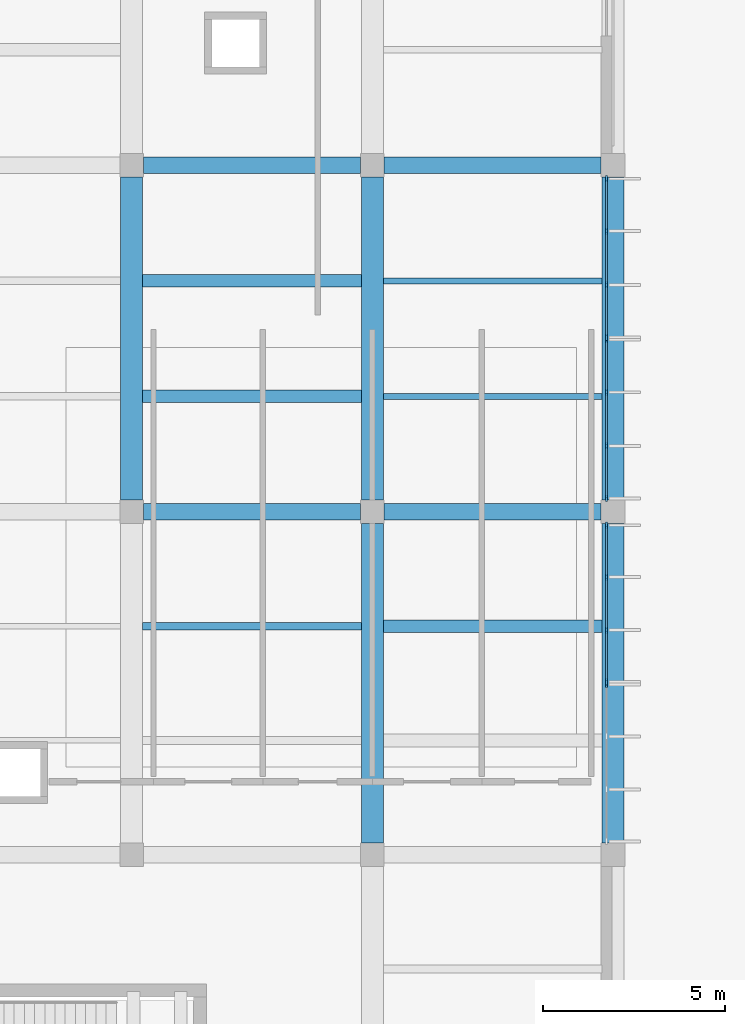
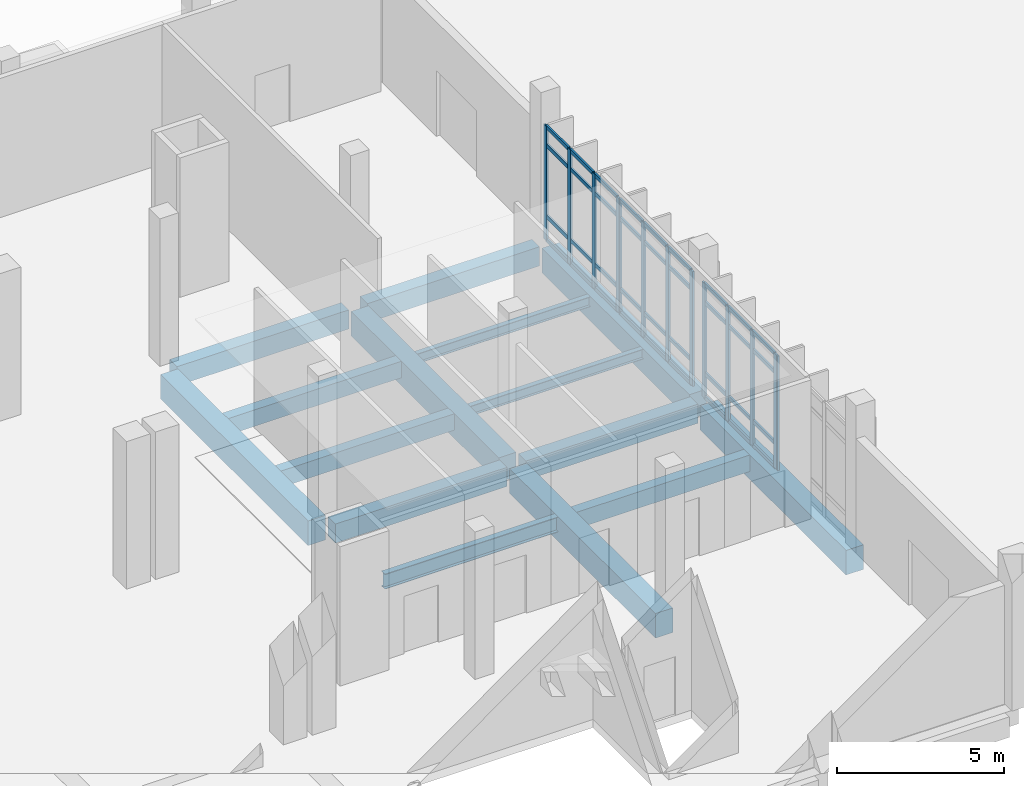
# One storey, part 32 of 79: 49 members, 15 beams, 4 elements without a shape of their own.
"""IFC4 building model written with IfcOpenShell, lengths in metres."""

from ifc_helpers import new_model, si_unit, direction, frame, origin, origin_2d, place, context, subcontext, project, spatial, rectangle, i_section, extrude, material, layer, layer_set, material_profile, profile_set, type_object, element, aggregate, save


model = new_model("IFC4")

# Units and contexts
model_context = context("Model", 3, precision=1e-05, world=origin(), true_north=direction((0.0, 1.0)))
body_context = subcontext(model_context, "Body", "Model", "MODEL_VIEW")
ifc_project = project(units=[si_unit("LENGTHUNIT", "METRE"), si_unit("AREAUNIT", "SQUARE_METRE"), si_unit("VOLUMEUNIT", "CUBIC_METRE"), si_unit("PLANEANGLEUNIT", "RADIAN"), si_unit("MASSUNIT", "GRAM", prefix="KILO")], contexts=[model_context])

# Site, building, storey
site_placement = place(None, origin())
site = spatial("IfcSite", under=ifc_project, at=site_placement, CompositionType="ELEMENT")
building_placement = place(site_placement, origin())
building = spatial("IfcBuilding", under=site, at=building_placement, Name="Kelarvand Opera House", CompositionType="ELEMENT")
storey_placement = place(building_placement, origin())
storey = spatial("IfcBuildingStorey", under=building, at=storey_placement, Name="L00", CompositionType="ELEMENT", Elevation=0.0)

# Curtain wall, members
ifc_material_1 = material(Name="Thermally broken aluminium and low-E glazing", Category="aluminium")
ifc_layer_1 = layer(ifc_material_1, 0.179931640625, Name="Thermally broken aluminium and low-E glazing", Category="aluminium")
ifc_layer_set_1 = layer_set([ifc_layer_1], Name="Thermally broken aluminium and low-E glazing")
curtain_wall_type_1 = type_object("IfcCurtainWallType", Name="Unitised Low-E Curtain Wall 4411x4200 Mod 1450 CWF-37", PredefinedType="USERDEFINED", material=ifc_layer_set_1)
curtain_wall_1_placement = place(storey_placement, origin())
curtain_wall_1 = element("IfcCurtainWall", 1, at=curtain_wall_1_placement, inside=storey, type_object=curtain_wall_type_1, Name="V5 L00 Curtain Wall CWF-37 (163)", ObjectType="UNITISED CURTAIN WALL", PredefinedType="USERDEFINED")
ifc_material_2 = material(Name="Thermally broken anodised aluminium", Category="aluminium")
ifc_material_profile_1 = material_profile(ifc_material_2, rectangle(XDim=0.06494140625, YDim=0.179931640625, at=origin_2d()), Name="ALU MULLION 65x180", Category="aluminium")
ifc_profile_set_1 = profile_set([ifc_material_profile_1], Name="Thermally broken anodised aluminium")
member_type_1 = type_object("IfcMemberType", Name="Curtain Wall Mullion 65x180 Aluminium", PredefinedType="MULLION", material=ifc_profile_set_1)
member_1_placement = place(storey_placement, frame((135.02001953125, 115.132568359375, 0.0), z_axis=(0.0, 0.0, 1.0), x_axis=(1.0, 0.0, 0.0)))
member_1 = element("IfcMember", 2, at=member_1_placement, type_object=member_type_1, Name="CWF-37 mullion 1", PredefinedType="MULLION", context=body_context, shape_type="SweptSolid", body=[
    extrude(rectangle(XDim=0.06494140625, YDim=0.179931640625, at=origin_2d()), origin(), (0.0, 0.0, 1.0), 4.199951171875),
])
member_2_placement = place(storey_placement, frame((135.02001953125, 113.694580078125, 0.0), z_axis=(0.0, 0.0, 1.0), x_axis=(1.0, 0.0, 0.0)))
member_2 = element("IfcMember", 3, at=member_2_placement, type_object=member_type_1, Name="CWF-37 mullion 2", PredefinedType="MULLION", context=body_context, shape_type="SweptSolid", body=[
    extrude(rectangle(XDim=0.06494140625, YDim=0.179931640625, at=origin_2d()), origin(), (0.0, 0.0, 1.0), 4.199951171875),
])
member_3_placement = place(storey_placement, frame((135.02001953125, 112.224365234375, 0.0), z_axis=(0.0, 0.0, 1.0), x_axis=(1.0, 0.0, 0.0)))
member_3 = element("IfcMember", 4, at=member_3_placement, type_object=member_type_1, Name="CWF-37 mullion 3", PredefinedType="MULLION", context=body_context, shape_type="SweptSolid", body=[
    extrude(rectangle(XDim=0.06494140625, YDim=0.179931640625, at=origin_2d()), origin(), (0.0, 0.0, 1.0), 4.199951171875),
])
member_4_placement = place(storey_placement, frame((135.02001953125, 110.78662109375, 0.0), z_axis=(0.0, 0.0, 1.0), x_axis=(1.0, 0.0, 0.0)))
member_4 = element("IfcMember", 5, at=member_4_placement, type_object=member_type_1, Name="CWF-37 mullion 4", PredefinedType="MULLION", context=body_context, shape_type="SweptSolid", body=[
    extrude(rectangle(XDim=0.06494140625, YDim=0.179931640625, at=origin_2d()), origin(), (0.0, 0.0, 1.0), 4.199951171875),
])

curtain_wall_2_placement = place(storey_placement, origin())
curtain_wall_2 = element("IfcCurtainWall", 6, at=curtain_wall_2_placement, inside=storey, type_object=curtain_wall_type_1, Name="V5 L00 Curtain Wall CWF-37 (164)", ObjectType="UNITISED CURTAIN WALL", PredefinedType="USERDEFINED")
member_5_placement = place(storey_placement, frame((135.02001953125, 110.717529296875, 0.0), z_axis=(0.0, 0.0, 1.0), x_axis=(1.0, 0.0, 0.0)))
member_5 = element("IfcMember", 7, at=member_5_placement, type_object=member_type_1, Name="CWF-37 mullion 1", PredefinedType="MULLION", context=body_context, shape_type="SweptSolid", body=[
    extrude(rectangle(XDim=0.06494140625, YDim=0.179931640625, at=origin_2d()), origin(), (0.0, 0.0, 1.0), 4.199951171875),
])
member_6_placement = place(storey_placement, frame((135.02001953125, 109.2783203125, 0.0), z_axis=(0.0, 0.0, 1.0), x_axis=(1.0, 0.0, 0.0)))
member_6 = element("IfcMember", 8, at=member_6_placement, type_object=member_type_1, Name="CWF-37 mullion 2", PredefinedType="MULLION", context=body_context, shape_type="SweptSolid", body=[
    extrude(rectangle(XDim=0.06494140625, YDim=0.179931640625, at=origin_2d()), origin(), (0.0, 0.0, 1.0), 4.199951171875),
])
member_7_placement = place(storey_placement, frame((135.02001953125, 107.806640625, 0.0), z_axis=(0.0, 0.0, 1.0), x_axis=(1.0, 0.0, 0.0)))
member_7 = element("IfcMember", 9, at=member_7_placement, type_object=member_type_1, Name="CWF-37 mullion 3", PredefinedType="MULLION", context=body_context, shape_type="SweptSolid", body=[
    extrude(rectangle(XDim=0.06494140625, YDim=0.179931640625, at=origin_2d()), origin(), (0.0, 0.0, 1.0), 4.199951171875),
])
member_8_placement = place(storey_placement, frame((135.02001953125, 106.367431640625, 0.0), z_axis=(0.0, 0.0, 1.0), x_axis=(1.0, 0.0, 0.0)))
member_8 = element("IfcMember", 10, at=member_8_placement, type_object=member_type_1, Name="CWF-37 mullion 4", PredefinedType="MULLION", context=body_context, shape_type="SweptSolid", body=[
    extrude(rectangle(XDim=0.06494140625, YDim=0.179931640625, at=origin_2d()), origin(), (0.0, 0.0, 1.0), 4.199951171875),
])

ifc_layer_2 = layer(ifc_material_1, 0.179931640625, Name="Thermally broken aluminium and low-E glazing", Category="aluminium")
ifc_layer_set_2 = layer_set([ifc_layer_2], Name="Thermally broken aluminium and low-E glazing")
curtain_wall_type_2 = type_object("IfcCurtainWallType", Name="Unitised Low-E Curtain Wall 4361x4200 Mod 1450 CWF-38", PredefinedType="USERDEFINED", material=ifc_layer_set_2)
curtain_wall_3_placement = place(storey_placement, origin())
curtain_wall_3 = element("IfcCurtainWall", 11, at=curtain_wall_3_placement, inside=storey, type_object=curtain_wall_type_2, Name="V5 L00 Curtain Wall CWF-38 (165)", ObjectType="UNITISED CURTAIN WALL", PredefinedType="USERDEFINED")
member_9_placement = place(storey_placement, frame((135.02001953125, 105.632568359375, 0.0), z_axis=(0.0, 0.0, 1.0), x_axis=(1.0, 0.0, 0.0)))
member_9 = element("IfcMember", 12, at=member_9_placement, type_object=member_type_1, Name="CWF-38 mullion 1", PredefinedType="MULLION", context=body_context, shape_type="SweptSolid", body=[
    extrude(rectangle(XDim=0.06494140625, YDim=0.179931640625, at=origin_2d()), origin(), (0.0, 0.0, 1.0), 4.199951171875),
])
member_10_placement = place(storey_placement, frame((135.02001953125, 104.21142578125, 0.0), z_axis=(0.0, 0.0, 1.0), x_axis=(1.0, 0.0, 0.0)))
member_10 = element("IfcMember", 13, at=member_10_placement, type_object=member_type_1, Name="CWF-38 mullion 2", PredefinedType="MULLION", context=body_context, shape_type="SweptSolid", body=[
    extrude(rectangle(XDim=0.06494140625, YDim=0.179931640625, at=origin_2d()), origin(), (0.0, 0.0, 1.0), 4.199951171875),
])
member_11_placement = place(storey_placement, frame((135.02001953125, 102.757568359375, 0.0), z_axis=(0.0, 0.0, 1.0), x_axis=(1.0, 0.0, 0.0)))
member_11 = element("IfcMember", 14, at=member_11_placement, type_object=member_type_1, Name="CWF-38 mullion 3", PredefinedType="MULLION", context=body_context, shape_type="SweptSolid", body=[
    extrude(rectangle(XDim=0.06494140625, YDim=0.179931640625, at=origin_2d()), origin(), (0.0, 0.0, 1.0), 4.199951171875),
])
member_12_placement = place(storey_placement, frame((135.02001953125, 101.33642578125, 0.0), z_axis=(0.0, 0.0, 1.0), x_axis=(1.0, 0.0, 0.0)))
member_12 = element("IfcMember", 15, at=member_12_placement, type_object=member_type_1, Name="CWF-38 mullion 4", PredefinedType="MULLION", context=body_context, shape_type="SweptSolid", body=[
    extrude(rectangle(XDim=0.06494140625, YDim=0.179931640625, at=origin_2d()), origin(), (0.0, 0.0, 1.0), 4.199951171875),
])

# Curtain wall, member
curtain_wall_4_placement = place(storey_placement, origin())
curtain_wall_4 = element("IfcCurtainWall", 16, at=curtain_wall_4_placement, inside=storey, type_object=curtain_wall_type_2, Name="V5 L00 Curtain Wall CWF-38 (166)", ObjectType="UNITISED CURTAIN WALL", PredefinedType="USERDEFINED")
member_13_placement = place(storey_placement, frame((135.02001953125, 101.267578125, 0.0), z_axis=(0.0, 0.0, 1.0), x_axis=(1.0, 0.0, 0.0)))
member_13 = element("IfcMember", 17, at=member_13_placement, type_object=member_type_1, Name="CWF-38 mullion 1", PredefinedType="MULLION", context=body_context, shape_type="SweptSolid", body=[
    extrude(rectangle(XDim=0.06494140625, YDim=0.179931640625, at=origin_2d()), origin(), (0.0, 0.0, 1.0), 4.199951171875),
])
aggregate(curtain_wall_4, [member_13])

# Member
ifc_material_profile_2 = material_profile(ifc_material_2, rectangle(XDim=0.06494140625, YDim=0.139892578125, at=origin_2d()), Name="ALU TRANSOM 65x140", Category="aluminium")
ifc_profile_set_2 = profile_set([ifc_material_profile_2], Name="Thermally broken anodised aluminium")
member_type_2 = type_object("IfcMemberType", Name="Curtain Wall Transom 65x140 Aluminium", PredefinedType="USERDEFINED", material=ifc_profile_set_2)
member_14_placement = place(storey_placement, frame((135.02001953125, 115.10009765625, 0.032470703125), z_axis=(0.0, -1.0, 0.0), x_axis=(1.0, 0.0, 0.0)))
member_14 = element("IfcMember", 18, at=member_14_placement, type_object=member_type_2, Name="CWF-37 transom 1.1", ObjectType="TRANSOM", PredefinedType="USERDEFINED", context=body_context, shape_type="SweptSolid", body=[
    extrude(rectangle(XDim=0.06494140625, YDim=0.139892578125, at=origin_2d()), origin(), (0.0, 0.0, 1.0), 1.373046875),
])

member_15_placement = place(storey_placement, frame((135.02001953125, 115.10009765625, 0.89990234375), z_axis=(0.0, -1.0, 0.0), x_axis=(1.0, 0.0, 0.0)))
member_15 = element("IfcMember", 19, at=member_15_placement, type_object=member_type_2, Name="CWF-37 transom 1.2", ObjectType="TRANSOM", PredefinedType="USERDEFINED", context=body_context, shape_type="SweptSolid", body=[
    extrude(rectangle(XDim=0.06494140625, YDim=0.139892578125, at=origin_2d()), origin(), (0.0, 0.0, 1.0), 1.373046875),
])

member_16_placement = place(storey_placement, frame((135.02001953125, 115.10009765625, 3.5), z_axis=(0.0, -1.0, 0.0), x_axis=(1.0, 0.0, 0.0)))
member_16 = element("IfcMember", 20, at=member_16_placement, type_object=member_type_2, Name="CWF-37 transom 1.3", ObjectType="TRANSOM", PredefinedType="USERDEFINED", context=body_context, shape_type="SweptSolid", body=[
    extrude(rectangle(XDim=0.06494140625, YDim=0.139892578125, at=origin_2d()), origin(), (0.0, 0.0, 1.0), 1.373046875),
])

member_17_placement = place(storey_placement, frame((135.02001953125, 115.10009765625, 4.16748046875), z_axis=(0.0, -1.0, 0.0), x_axis=(1.0, 0.0, 0.0)))
member_17 = element("IfcMember", 21, at=member_17_placement, type_object=member_type_2, Name="CWF-37 transom 1.4", ObjectType="TRANSOM", PredefinedType="USERDEFINED", context=body_context, shape_type="SweptSolid", body=[
    extrude(rectangle(XDim=0.06494140625, YDim=0.139892578125, at=origin_2d()), origin(), (0.0, 0.0, 1.0), 1.373046875),
])

member_18_placement = place(storey_placement, frame((135.02001953125, 113.662109375, 0.032470703125), z_axis=(0.0, -1.0, 0.0), x_axis=(1.0, 0.0, 0.0)))
member_18 = element("IfcMember", 22, at=member_18_placement, type_object=member_type_2, Name="CWF-37 transom 2.1", ObjectType="TRANSOM", PredefinedType="USERDEFINED", context=body_context, shape_type="SweptSolid", body=[
    extrude(rectangle(XDim=0.06494140625, YDim=0.139892578125, at=origin_2d()), origin(), (0.0, 0.0, 1.0), 1.4052734375),
])

member_19_placement = place(storey_placement, frame((135.02001953125, 113.662109375, 0.89990234375), z_axis=(0.0, -1.0, 0.0), x_axis=(1.0, 0.0, 0.0)))
member_19 = element("IfcMember", 23, at=member_19_placement, type_object=member_type_2, Name="CWF-37 transom 2.2", ObjectType="TRANSOM", PredefinedType="USERDEFINED", context=body_context, shape_type="SweptSolid", body=[
    extrude(rectangle(XDim=0.06494140625, YDim=0.139892578125, at=origin_2d()), origin(), (0.0, 0.0, 1.0), 1.4052734375),
])

member_20_placement = place(storey_placement, frame((135.02001953125, 113.662109375, 3.5), z_axis=(0.0, -1.0, 0.0), x_axis=(1.0, 0.0, 0.0)))
member_20 = element("IfcMember", 24, at=member_20_placement, type_object=member_type_2, Name="CWF-37 transom 2.3", ObjectType="TRANSOM", PredefinedType="USERDEFINED", context=body_context, shape_type="SweptSolid", body=[
    extrude(rectangle(XDim=0.06494140625, YDim=0.139892578125, at=origin_2d()), origin(), (0.0, 0.0, 1.0), 1.4052734375),
])

member_21_placement = place(storey_placement, frame((135.02001953125, 113.662109375, 4.16748046875), z_axis=(0.0, -1.0, 0.0), x_axis=(1.0, 0.0, 0.0)))
member_21 = element("IfcMember", 25, at=member_21_placement, type_object=member_type_2, Name="CWF-37 transom 2.4", ObjectType="TRANSOM", PredefinedType="USERDEFINED", context=body_context, shape_type="SweptSolid", body=[
    extrude(rectangle(XDim=0.06494140625, YDim=0.139892578125, at=origin_2d()), origin(), (0.0, 0.0, 1.0), 1.4052734375),
])

member_22_placement = place(storey_placement, frame((135.02001953125, 112.19189453125, 0.032470703125), z_axis=(0.0, -1.0, 0.0), x_axis=(1.0, 0.0, 0.0)))
member_22 = element("IfcMember", 26, at=member_22_placement, type_object=member_type_2, Name="CWF-37 transom 3.1", ObjectType="TRANSOM", PredefinedType="USERDEFINED", context=body_context, shape_type="SweptSolid", body=[
    extrude(rectangle(XDim=0.06494140625, YDim=0.139892578125, at=origin_2d()), origin(), (0.0, 0.0, 1.0), 1.372802734375),
])

member_23_placement = place(storey_placement, frame((135.02001953125, 112.19189453125, 0.89990234375), z_axis=(0.0, -1.0, 0.0), x_axis=(1.0, 0.0, 0.0)))
member_23 = element("IfcMember", 27, at=member_23_placement, type_object=member_type_2, Name="CWF-37 transom 3.2", ObjectType="TRANSOM", PredefinedType="USERDEFINED", context=body_context, shape_type="SweptSolid", body=[
    extrude(rectangle(XDim=0.06494140625, YDim=0.139892578125, at=origin_2d()), origin(), (0.0, 0.0, 1.0), 1.372802734375),
])

member_24_placement = place(storey_placement, frame((135.02001953125, 112.19189453125, 3.5), z_axis=(0.0, -1.0, 0.0), x_axis=(1.0, 0.0, 0.0)))
member_24 = element("IfcMember", 28, at=member_24_placement, type_object=member_type_2, Name="CWF-37 transom 3.3", ObjectType="TRANSOM", PredefinedType="USERDEFINED", context=body_context, shape_type="SweptSolid", body=[
    extrude(rectangle(XDim=0.06494140625, YDim=0.139892578125, at=origin_2d()), origin(), (0.0, 0.0, 1.0), 1.372802734375),
])

member_25_placement = place(storey_placement, frame((135.02001953125, 112.19189453125, 4.16748046875), z_axis=(0.0, -1.0, 0.0), x_axis=(1.0, 0.0, 0.0)))
member_25 = element("IfcMember", 29, at=member_25_placement, type_object=member_type_2, Name="CWF-37 transom 3.4", ObjectType="TRANSOM", PredefinedType="USERDEFINED", context=body_context, shape_type="SweptSolid", body=[
    extrude(rectangle(XDim=0.06494140625, YDim=0.139892578125, at=origin_2d()), origin(), (0.0, 0.0, 1.0), 1.372802734375),
])

aggregate(curtain_wall_1, [member_1, member_2, member_3, member_4, member_14, member_15, member_16, member_17, member_18, member_19, member_20, member_21, member_22, member_23, member_24, member_25])

member_26_placement = place(storey_placement, frame((135.02001953125, 110.68505859375, 0.032470703125), z_axis=(0.0, -1.0, 0.0), x_axis=(1.0, 0.0, 0.0)))
member_26 = element("IfcMember", 30, at=member_26_placement, type_object=member_type_2, Name="CWF-37 transom 1.1", ObjectType="TRANSOM", PredefinedType="USERDEFINED", context=body_context, shape_type="SweptSolid", body=[
    extrude(rectangle(XDim=0.06494140625, YDim=0.139892578125, at=origin_2d()), origin(), (0.0, 0.0, 1.0), 1.374267578125),
])

member_27_placement = place(storey_placement, frame((135.02001953125, 110.68505859375, 0.89990234375), z_axis=(0.0, -1.0, 0.0), x_axis=(1.0, 0.0, 0.0)))
member_27 = element("IfcMember", 31, at=member_27_placement, type_object=member_type_2, Name="CWF-37 transom 1.2", ObjectType="TRANSOM", PredefinedType="USERDEFINED", context=body_context, shape_type="SweptSolid", body=[
    extrude(rectangle(XDim=0.06494140625, YDim=0.139892578125, at=origin_2d()), origin(), (0.0, 0.0, 1.0), 1.374267578125),
])

member_28_placement = place(storey_placement, frame((135.02001953125, 110.68505859375, 3.5), z_axis=(0.0, -1.0, 0.0), x_axis=(1.0, 0.0, 0.0)))
member_28 = element("IfcMember", 32, at=member_28_placement, type_object=member_type_2, Name="CWF-37 transom 1.3", ObjectType="TRANSOM", PredefinedType="USERDEFINED", context=body_context, shape_type="SweptSolid", body=[
    extrude(rectangle(XDim=0.06494140625, YDim=0.139892578125, at=origin_2d()), origin(), (0.0, 0.0, 1.0), 1.374267578125),
])

member_29_placement = place(storey_placement, frame((135.02001953125, 110.68505859375, 4.16748046875), z_axis=(0.0, -1.0, 0.0), x_axis=(1.0, 0.0, 0.0)))
member_29 = element("IfcMember", 33, at=member_29_placement, type_object=member_type_2, Name="CWF-37 transom 1.4", ObjectType="TRANSOM", PredefinedType="USERDEFINED", context=body_context, shape_type="SweptSolid", body=[
    extrude(rectangle(XDim=0.06494140625, YDim=0.139892578125, at=origin_2d()), origin(), (0.0, 0.0, 1.0), 1.374267578125),
])

member_30_placement = place(storey_placement, frame((135.02001953125, 109.245849609375, 0.032470703125), z_axis=(0.0, -1.0, 0.0), x_axis=(1.0, 0.0, 0.0)))
member_30 = element("IfcMember", 34, at=member_30_placement, type_object=member_type_2, Name="CWF-37 transom 2.1", ObjectType="TRANSOM", PredefinedType="USERDEFINED", context=body_context, shape_type="SweptSolid", body=[
    extrude(rectangle(XDim=0.06494140625, YDim=0.139892578125, at=origin_2d()), origin(), (0.0, 0.0, 1.0), 1.40673828125),
])

member_31_placement = place(storey_placement, frame((135.02001953125, 109.245849609375, 0.89990234375), z_axis=(0.0, -1.0, 0.0), x_axis=(1.0, 0.0, 0.0)))
member_31 = element("IfcMember", 35, at=member_31_placement, type_object=member_type_2, Name="CWF-37 transom 2.2", ObjectType="TRANSOM", PredefinedType="USERDEFINED", context=body_context, shape_type="SweptSolid", body=[
    extrude(rectangle(XDim=0.06494140625, YDim=0.139892578125, at=origin_2d()), origin(), (0.0, 0.0, 1.0), 1.40673828125),
])

member_32_placement = place(storey_placement, frame((135.02001953125, 109.245849609375, 3.5), z_axis=(0.0, -1.0, 0.0), x_axis=(1.0, 0.0, 0.0)))
member_32 = element("IfcMember", 36, at=member_32_placement, type_object=member_type_2, Name="CWF-37 transom 2.3", ObjectType="TRANSOM", PredefinedType="USERDEFINED", context=body_context, shape_type="SweptSolid", body=[
    extrude(rectangle(XDim=0.06494140625, YDim=0.139892578125, at=origin_2d()), origin(), (0.0, 0.0, 1.0), 1.40673828125),
])

member_33_placement = place(storey_placement, frame((135.02001953125, 109.245849609375, 4.16748046875), z_axis=(0.0, -1.0, 0.0), x_axis=(1.0, 0.0, 0.0)))
member_33 = element("IfcMember", 37, at=member_33_placement, type_object=member_type_2, Name="CWF-37 transom 2.4", ObjectType="TRANSOM", PredefinedType="USERDEFINED", context=body_context, shape_type="SweptSolid", body=[
    extrude(rectangle(XDim=0.06494140625, YDim=0.139892578125, at=origin_2d()), origin(), (0.0, 0.0, 1.0), 1.40673828125),
])

member_34_placement = place(storey_placement, frame((135.02001953125, 107.774169921875, 0.032470703125), z_axis=(0.0, -1.0, 0.0), x_axis=(1.0, 0.0, 0.0)))
member_34 = element("IfcMember", 38, at=member_34_placement, type_object=member_type_2, Name="CWF-37 transom 3.1", ObjectType="TRANSOM", PredefinedType="USERDEFINED", context=body_context, shape_type="SweptSolid", body=[
    extrude(rectangle(XDim=0.06494140625, YDim=0.139892578125, at=origin_2d()), origin(), (0.0, 0.0, 1.0), 1.374267578125),
])

member_35_placement = place(storey_placement, frame((135.02001953125, 107.774169921875, 0.89990234375), z_axis=(0.0, -1.0, 0.0), x_axis=(1.0, 0.0, 0.0)))
member_35 = element("IfcMember", 39, at=member_35_placement, type_object=member_type_2, Name="CWF-37 transom 3.2", ObjectType="TRANSOM", PredefinedType="USERDEFINED", context=body_context, shape_type="SweptSolid", body=[
    extrude(rectangle(XDim=0.06494140625, YDim=0.139892578125, at=origin_2d()), origin(), (0.0, 0.0, 1.0), 1.374267578125),
])

member_36_placement = place(storey_placement, frame((135.02001953125, 107.774169921875, 3.5), z_axis=(0.0, -1.0, 0.0), x_axis=(1.0, 0.0, 0.0)))
member_36 = element("IfcMember", 40, at=member_36_placement, type_object=member_type_2, Name="CWF-37 transom 3.3", ObjectType="TRANSOM", PredefinedType="USERDEFINED", context=body_context, shape_type="SweptSolid", body=[
    extrude(rectangle(XDim=0.06494140625, YDim=0.139892578125, at=origin_2d()), origin(), (0.0, 0.0, 1.0), 1.374267578125),
])

member_37_placement = place(storey_placement, frame((135.02001953125, 107.774169921875, 4.16748046875), z_axis=(0.0, -1.0, 0.0), x_axis=(1.0, 0.0, 0.0)))
member_37 = element("IfcMember", 41, at=member_37_placement, type_object=member_type_2, Name="CWF-37 transom 3.4", ObjectType="TRANSOM", PredefinedType="USERDEFINED", context=body_context, shape_type="SweptSolid", body=[
    extrude(rectangle(XDim=0.06494140625, YDim=0.139892578125, at=origin_2d()), origin(), (0.0, 0.0, 1.0), 1.374267578125),
])

aggregate(curtain_wall_2, [member_5, member_6, member_7, member_8, member_26, member_27, member_28, member_29, member_30, member_31, member_32, member_33, member_34, member_35, member_36, member_37])

member_38_placement = place(storey_placement, frame((135.02001953125, 105.60009765625, 0.032470703125), z_axis=(0.0, -1.0, 0.0), x_axis=(1.0, 0.0, 0.0)))
member_38 = element("IfcMember", 42, at=member_38_placement, type_object=member_type_2, Name="CWF-38 transom 1.1", ObjectType="TRANSOM", PredefinedType="USERDEFINED", context=body_context, shape_type="SweptSolid", body=[
    extrude(rectangle(XDim=0.06494140625, YDim=0.139892578125, at=origin_2d()), origin(), (0.0, 0.0, 1.0), 1.356201171875),
])

member_39_placement = place(storey_placement, frame((135.02001953125, 105.60009765625, 0.89990234375), z_axis=(0.0, -1.0, 0.0), x_axis=(1.0, 0.0, 0.0)))
member_39 = element("IfcMember", 43, at=member_39_placement, type_object=member_type_2, Name="CWF-38 transom 1.2", ObjectType="TRANSOM", PredefinedType="USERDEFINED", context=body_context, shape_type="SweptSolid", body=[
    extrude(rectangle(XDim=0.06494140625, YDim=0.139892578125, at=origin_2d()), origin(), (0.0, 0.0, 1.0), 1.356201171875),
])

member_40_placement = place(storey_placement, frame((135.02001953125, 105.60009765625, 3.5), z_axis=(0.0, -1.0, 0.0), x_axis=(1.0, 0.0, 0.0)))
member_40 = element("IfcMember", 44, at=member_40_placement, type_object=member_type_2, Name="CWF-38 transom 1.3", ObjectType="TRANSOM", PredefinedType="USERDEFINED", context=body_context, shape_type="SweptSolid", body=[
    extrude(rectangle(XDim=0.06494140625, YDim=0.139892578125, at=origin_2d()), origin(), (0.0, 0.0, 1.0), 1.356201171875),
])

member_41_placement = place(storey_placement, frame((135.02001953125, 105.60009765625, 4.16748046875), z_axis=(0.0, -1.0, 0.0), x_axis=(1.0, 0.0, 0.0)))
member_41 = element("IfcMember", 45, at=member_41_placement, type_object=member_type_2, Name="CWF-38 transom 1.4", ObjectType="TRANSOM", PredefinedType="USERDEFINED", context=body_context, shape_type="SweptSolid", body=[
    extrude(rectangle(XDim=0.06494140625, YDim=0.139892578125, at=origin_2d()), origin(), (0.0, 0.0, 1.0), 1.356201171875),
])

member_42_placement = place(storey_placement, frame((135.02001953125, 104.178955078125, 0.032470703125), z_axis=(0.0, -1.0, 0.0), x_axis=(1.0, 0.0, 0.0)))
member_42 = element("IfcMember", 46, at=member_42_placement, type_object=member_type_2, Name="CWF-38 transom 2.1", ObjectType="TRANSOM", PredefinedType="USERDEFINED", context=body_context, shape_type="SweptSolid", body=[
    extrude(rectangle(XDim=0.06494140625, YDim=0.139892578125, at=origin_2d()), origin(), (0.0, 0.0, 1.0), 1.388671875),
])

member_43_placement = place(storey_placement, frame((135.02001953125, 104.178955078125, 0.89990234375), z_axis=(0.0, -1.0, 0.0), x_axis=(1.0, 0.0, 0.0)))
member_43 = element("IfcMember", 47, at=member_43_placement, type_object=member_type_2, Name="CWF-38 transom 2.2", ObjectType="TRANSOM", PredefinedType="USERDEFINED", context=body_context, shape_type="SweptSolid", body=[
    extrude(rectangle(XDim=0.06494140625, YDim=0.139892578125, at=origin_2d()), origin(), (0.0, 0.0, 1.0), 1.388671875),
])

member_44_placement = place(storey_placement, frame((135.02001953125, 104.178955078125, 3.5), z_axis=(0.0, -1.0, 0.0), x_axis=(1.0, 0.0, 0.0)))
member_44 = element("IfcMember", 48, at=member_44_placement, type_object=member_type_2, Name="CWF-38 transom 2.3", ObjectType="TRANSOM", PredefinedType="USERDEFINED", context=body_context, shape_type="SweptSolid", body=[
    extrude(rectangle(XDim=0.06494140625, YDim=0.139892578125, at=origin_2d()), origin(), (0.0, 0.0, 1.0), 1.388671875),
])

member_45_placement = place(storey_placement, frame((135.02001953125, 104.178955078125, 4.16748046875), z_axis=(0.0, -1.0, 0.0), x_axis=(1.0, 0.0, 0.0)))
member_45 = element("IfcMember", 49, at=member_45_placement, type_object=member_type_2, Name="CWF-38 transom 2.4", ObjectType="TRANSOM", PredefinedType="USERDEFINED", context=body_context, shape_type="SweptSolid", body=[
    extrude(rectangle(XDim=0.06494140625, YDim=0.139892578125, at=origin_2d()), origin(), (0.0, 0.0, 1.0), 1.388671875),
])

member_46_placement = place(storey_placement, frame((135.02001953125, 102.72509765625, 0.032470703125), z_axis=(0.0, -1.0, 0.0), x_axis=(1.0, 0.0, 0.0)))
member_46 = element("IfcMember", 50, at=member_46_placement, type_object=member_type_2, Name="CWF-38 transom 3.1", ObjectType="TRANSOM", PredefinedType="USERDEFINED", context=body_context, shape_type="SweptSolid", body=[
    extrude(rectangle(XDim=0.06494140625, YDim=0.139892578125, at=origin_2d()), origin(), (0.0, 0.0, 1.0), 1.356201171875),
])

member_47_placement = place(storey_placement, frame((135.02001953125, 102.72509765625, 0.89990234375), z_axis=(0.0, -1.0, 0.0), x_axis=(1.0, 0.0, 0.0)))
member_47 = element("IfcMember", 51, at=member_47_placement, type_object=member_type_2, Name="CWF-38 transom 3.2", ObjectType="TRANSOM", PredefinedType="USERDEFINED", context=body_context, shape_type="SweptSolid", body=[
    extrude(rectangle(XDim=0.06494140625, YDim=0.139892578125, at=origin_2d()), origin(), (0.0, 0.0, 1.0), 1.356201171875),
])

member_48_placement = place(storey_placement, frame((135.02001953125, 102.72509765625, 3.5), z_axis=(0.0, -1.0, 0.0), x_axis=(1.0, 0.0, 0.0)))
member_48 = element("IfcMember", 52, at=member_48_placement, type_object=member_type_2, Name="CWF-38 transom 3.3", ObjectType="TRANSOM", PredefinedType="USERDEFINED", context=body_context, shape_type="SweptSolid", body=[
    extrude(rectangle(XDim=0.06494140625, YDim=0.139892578125, at=origin_2d()), origin(), (0.0, 0.0, 1.0), 1.356201171875),
])

member_49_placement = place(storey_placement, frame((135.02001953125, 102.72509765625, 4.16748046875), z_axis=(0.0, -1.0, 0.0), x_axis=(1.0, 0.0, 0.0)))
member_49 = element("IfcMember", 53, at=member_49_placement, type_object=member_type_2, Name="CWF-38 transom 3.4", ObjectType="TRANSOM", PredefinedType="USERDEFINED", context=body_context, shape_type="SweptSolid", body=[
    extrude(rectangle(XDim=0.06494140625, YDim=0.139892578125, at=origin_2d()), origin(), (0.0, 0.0, 1.0), 1.356201171875),
])

aggregate(curtain_wall_3, [member_9, member_10, member_11, member_12, member_38, member_39, member_40, member_41, member_42, member_43, member_44, member_45, member_46, member_47, member_48, member_49])

# Beams
ifc_material_3 = material(Name="Concrete C35/45", Category="concrete")
ifc_material_profile_3 = material_profile(ifc_material_3, rectangle(XDim=0.35009765625, YDim=0.60009765625, at=origin_2d()), Name="RC 350x600", Category="concrete")
ifc_profile_set_3 = profile_set([ifc_material_profile_3], Name="Concrete C35/45")
beam_type_1 = type_object("IfcBeamType", Name="Structural Beam RC 350x600 BM-RC350x600", PredefinedType="BEAM", material=ifc_profile_set_3)
for number, where, z_axis, x_axis, name in (
    (54, (122.300048828125, 109.166748046875, -0.60009765625), (1.0, 0.0, 0.0), (0.0, 1.0, 0.0), "V5 L00 Beam BM-RC350x600"),
    (55, (122.300048828125, 112.333251953125, -0.60009765625), (1.0, 0.0, 0.0), (0.0, 1.0, 0.0), "V5 L00 Beam BM-RC350x600"),
    (56, (128.89990234375, 102.86669921875, -0.60009765625), (1.0, 0.0, 0.0), (0.0, 1.0, 0.0), "V5 L00 Beam BM-RC350x600"),
):
    element("IfcBeam", number, at=place(storey_placement, frame(where, z_axis=z_axis, x_axis=x_axis)), inside=storey, type_object=beam_type_1, Name=name, PredefinedType="BEAM", context=body_context, shape_type="SweptSolid", body=[
        extrude(rectangle(XDim=0.35009765625, YDim=0.60009765625, at=origin_2d()), origin(), (0.0, 0.0, 1.0), 6.0),
    ])
ifc_material_4 = material(Name="Concrete C40/50", Category="concrete")
ifc_material_profile_4 = material_profile(ifc_material_4, rectangle(XDim=0.449951171875, YDim=0.699951171875, at=origin_2d()), Name="RC 450x700", Category="concrete")
ifc_profile_set_4 = profile_set([ifc_material_profile_4], Name="Concrete C40/50")
beam_type_2 = type_object("IfcBeamType", Name="Structural Beam RC 450x700 BM-RC450x700", PredefinedType="BEAM", material=ifc_profile_set_4)
for number, where, z_axis, x_axis, name in (
    (57, (122.324951171875, 106.0, -0.64990234375), (1.0, 0.0, 0.0), (0.0, 1.0, 0.0), "V5 L00 Beam BM-RC450x700"),
    (58, (128.925048828125, 106.0, -0.64990234375), (1.0, 0.0, 0.0), (0.0, 1.0, 0.0), "V5 L00 Beam BM-RC450x700"),
    (59, (122.324951171875, 115.5, -0.64990234375), (1.0, 0.0, 0.0), (0.0, 1.0, 0.0), "V5 L00 Beam BM-RC450x700"),
    (60, (128.925048828125, 115.5, -0.64990234375), (1.0, 0.0, 0.0), (0.0, 1.0, 0.0), "V5 L00 Beam BM-RC450x700"),
):
    element("IfcBeam", number, at=place(storey_placement, frame(where, z_axis=z_axis, x_axis=x_axis)), inside=storey, type_object=beam_type_2, Name=name, PredefinedType="BEAM", context=body_context, shape_type="SweptSolid", body=[
        extrude(rectangle(XDim=0.449951171875, YDim=0.699951171875, at=origin_2d()), origin(), (0.0, 0.0, 1.0), 5.949951171875),
    ])
ifc_material_profile_5 = material_profile(ifc_material_4, rectangle(XDim=0.60009765625, YDim=0.89990234375, at=origin_2d()), Name="RC 600x900", Category="concrete")
ifc_profile_set_5 = profile_set([ifc_material_profile_5], Name="Concrete C40/50")
beam_type_3 = type_object("IfcBeamType", Name="Structural Beam RC 600x900 BM-RC600x900", PredefinedType="BEAM", material=ifc_profile_set_5)
beam_1_placement = place(storey_placement, frame((122.0, 106.324951171875, -0.75), z_axis=(0.0, 1.0, 0.0), x_axis=(-1.0, 0.0, 0.0)))
element("IfcBeam", 61, at=beam_1_placement, inside=storey, type_object=beam_type_3, Name="V5 L00 Beam BM-RC600x900", PredefinedType="BEAM", context=body_context, shape_type="SweptSolid", body=[
    extrude(rectangle(XDim=0.60009765625, YDim=0.89990234375, at=origin_2d()), origin(), (0.0, 0.0, 1.0), 8.85009765625),
])
beam_2_placement = place(storey_placement, frame((128.60009765625, 96.925048828125, -0.75), z_axis=(0.0, 1.0, 0.0), x_axis=(-1.0, 0.0, 0.0)))
element("IfcBeam", 62, at=beam_2_placement, inside=storey, type_object=beam_type_3, Name="V5 L00 Beam BM-RC600x900", PredefinedType="BEAM", context=body_context, shape_type="SweptSolid", body=[
    extrude(rectangle(XDim=0.60009765625, YDim=0.89990234375, at=origin_2d()), origin(), (0.0, 0.0, 1.0), 8.75),
])
beam_3_placement = place(storey_placement, frame((128.60009765625, 106.324951171875, -0.75), z_axis=(0.0, 1.0, 0.0), x_axis=(-1.0, 0.0, 0.0)))
element("IfcBeam", 63, at=beam_3_placement, inside=storey, type_object=beam_type_3, Name="V5 L00 Beam BM-RC600x900", PredefinedType="BEAM", context=body_context, shape_type="SweptSolid", body=[
    extrude(rectangle(XDim=0.60009765625, YDim=0.89990234375, at=origin_2d()), origin(), (0.0, 0.0, 1.0), 8.85009765625),
])
ifc_material_5 = material(Name="Steel S355", Category="steel")
ifc_material_profile_6 = material_profile(ifc_material_5, i_section(OverallWidth=0.169921875, OverallDepth=0.360107421875, WebThickness=0.008056640625, FlangeThickness=0.0126953125, at=origin_2d()), Name="IPE 360", Category="steel")
ifc_profile_set_6 = profile_set([ifc_material_profile_6], Name="Steel S355")
beam_type_4 = type_object("IfcBeamType", Name="Structural Joist IPE 360 JS-IPE360", PredefinedType="JOIST", material=ifc_profile_set_6)
for number, where, z_axis, x_axis, name in (
    (64, (128.89990234375, 109.166748046875, -0.47998046875), (1.0, 0.0, 0.0), (0.0, 1.0, 0.0), "V5 L00 Beam JS-IPE360"),
    (65, (128.89990234375, 112.333251953125, -0.47998046875), (1.0, 0.0, 0.0), (0.0, 1.0, 0.0), "V5 L00 Beam JS-IPE360"),
):
    element("IfcBeam", number, at=place(storey_placement, frame(where, z_axis=z_axis, x_axis=x_axis)), inside=storey, type_object=beam_type_4, Name=name, PredefinedType="JOIST", context=body_context, shape_type="SweptSolid", body=[
        extrude(i_section(OverallWidth=0.169921875, OverallDepth=0.360107421875, WebThickness=0.008056640625, FlangeThickness=0.0126953125, at=origin_2d()), origin(), (0.0, 0.0, 1.0), 6.0),
    ])
ifc_material_profile_7 = material_profile(ifc_material_5, i_section(OverallWidth=0.2099609375, OverallDepth=0.550048828125, WebThickness=0.010986328125, FlangeThickness=0.01708984375, at=origin_2d()), Name="IPE 550", Category="steel")
ifc_profile_set_7 = profile_set([ifc_material_profile_7], Name="Steel S355")
beam_type_5 = type_object("IfcBeamType", Name="Structural Joist IPE 550 JS-IPE550", PredefinedType="JOIST", material=ifc_profile_set_7)
beam_4_placement = place(storey_placement, frame((122.300048828125, 102.86669921875, -0.574951171875), z_axis=(1.0, 0.0, 0.0), x_axis=(0.0, 1.0, 0.0)))
element("IfcBeam", 66, at=beam_4_placement, inside=storey, type_object=beam_type_5, Name="V5 L00 Beam JS-IPE550", PredefinedType="JOIST", context=body_context, shape_type="SweptSolid", body=[
    extrude(i_section(OverallWidth=0.2099609375, OverallDepth=0.550048828125, WebThickness=0.010986328125, FlangeThickness=0.01708984375, at=origin_2d()), origin(), (0.0, 0.0, 1.0), 6.0),
])
ifc_material_profile_8 = material_profile(ifc_material_4, rectangle(XDim=0.60009765625, YDim=0.89990234375, at=origin_2d()), Name="RC 600x900", Category="concrete")
ifc_profile_set_8 = profile_set([ifc_material_profile_8], Name="Concrete C40/50")
beam_type_6 = type_object("IfcBeamType", Name="Structural Spandrel RC 600x900 SP-RC600x900E", PredefinedType="SPANDREL", material=ifc_profile_set_8)
beam_5_placement = place(storey_placement, frame((135.199951171875, 96.925048828125, -0.75), z_axis=(0.0, 1.0, 0.0), x_axis=(-1.0, 0.0, 0.0)))
element("IfcBeam", 67, at=beam_5_placement, inside=storey, type_object=beam_type_6, Name="V5 L00 Beam SP-RC600x900E", PredefinedType="SPANDREL", context=body_context, shape_type="SweptSolid", body=[
    extrude(rectangle(XDim=0.60009765625, YDim=0.89990234375, at=origin_2d()), origin(), (0.0, 0.0, 1.0), 8.75),
])
beam_6_placement = place(storey_placement, frame((135.199951171875, 106.324951171875, -0.75), z_axis=(0.0, 1.0, 0.0), x_axis=(-1.0, 0.0, 0.0)))
element("IfcBeam", 68, at=beam_6_placement, inside=storey, type_object=beam_type_6, Name="V5 L00 Beam SP-RC600x900E", PredefinedType="SPANDREL", context=body_context, shape_type="SweptSolid", body=[
    extrude(rectangle(XDim=0.60009765625, YDim=0.89990234375, at=origin_2d()), origin(), (0.0, 0.0, 1.0), 8.85009765625),
])

save(model, "model.ifc")
